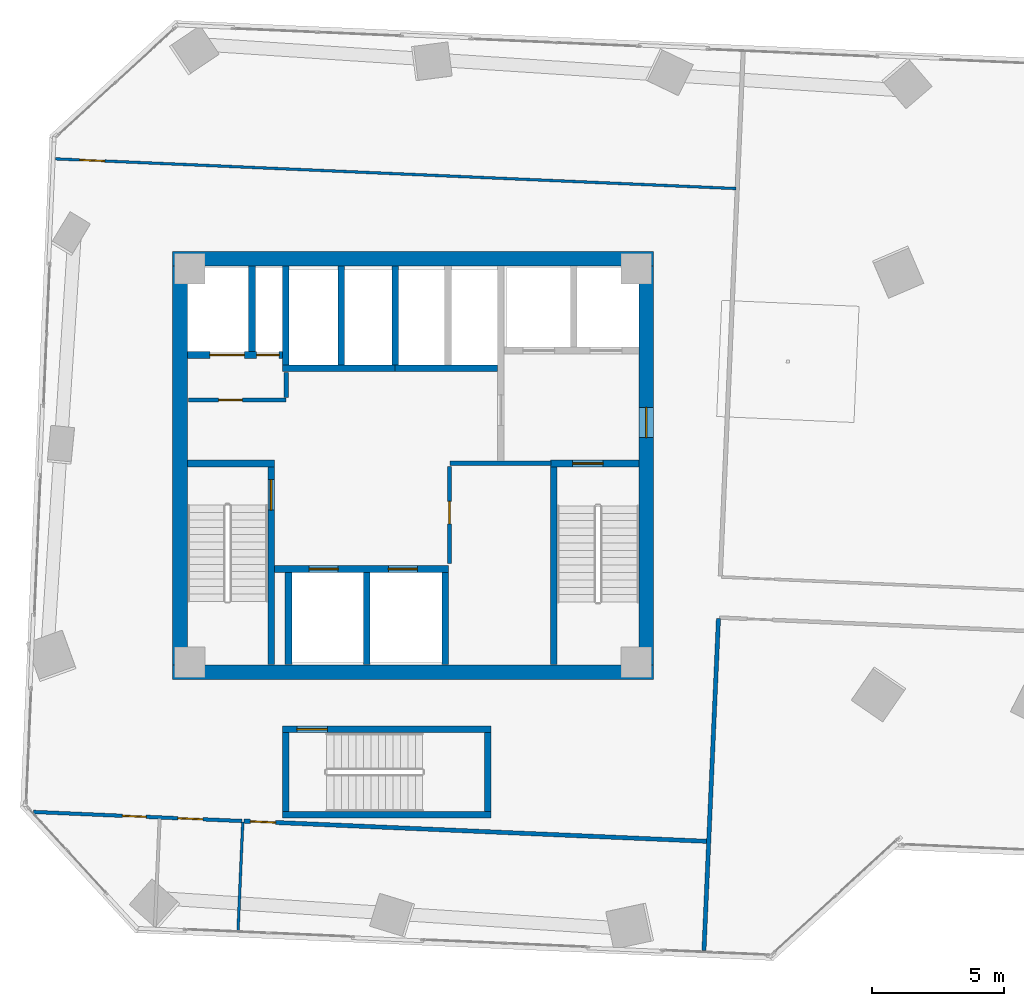
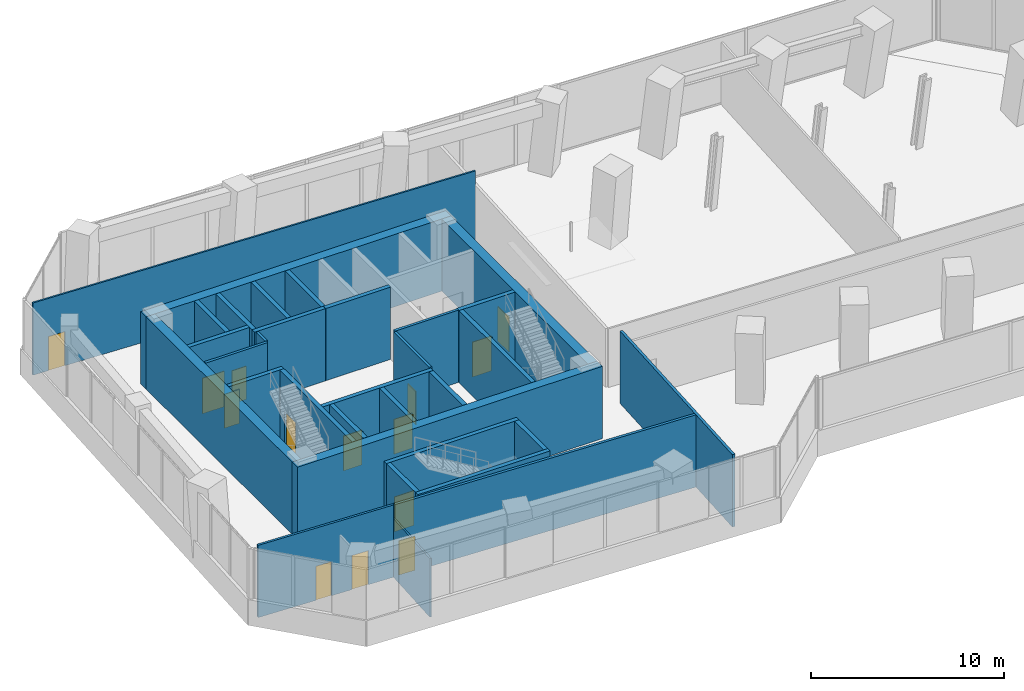
# One storey, part 22 of 27: 32 walls, 14 doors, 14 openings.
"""IFC4 building model written with IfcOpenShell, lengths in metres."""

from ifc_helpers import new_model, si_unit, direction, frame, frame_2d, origin, place, context, subcontext, project, spatial, rectangle, extrude, source, transform, mapped, material, layer, layer_set, type_object, element, fill, save


model = new_model("IFC4")

# Units and contexts
model_context = context("Model", 3, precision=1e-05, world=origin(), true_north=direction((0.0, 1.0)))
body_context = subcontext(model_context, "Body", "Model", "MODEL_VIEW")
ifc_project = project(units=[si_unit("LENGTHUNIT", "METRE"), si_unit("AREAUNIT", "SQUARE_METRE"), si_unit("VOLUMEUNIT", "CUBIC_METRE"), si_unit("PLANEANGLEUNIT", "RADIAN"), si_unit("MASSUNIT", "GRAM", prefix="KILO")], contexts=[model_context])

# Site, building, storey
site_placement = place(None, origin())
site = spatial("IfcSite", under=ifc_project, at=site_placement, CompositionType="ELEMENT")
building_placement = place(site_placement, origin())
building = spatial("IfcBuilding", under=site, at=building_placement, Name="Torre Montelarca", CompositionType="ELEMENT")
storey_placement = place(building_placement, frame((0.0, 0.0, 37.60009765625)))
storey = spatial("IfcBuildingStorey", under=building, at=storey_placement, Name="L08", CompositionType="ELEMENT", Elevation=37.60009765625)

# Wall, opening, door
ifc_material_1 = material(Name="Concrete C40/50", Category="concrete")
ifc_layer_1 = layer(ifc_material_1, 0.25, Name="Concrete C40/50", Category="concrete")
ifc_layer_set_1 = layer_set([ifc_layer_1], Name="Concrete C40/50")
wall_type_1 = type_object("IfcWallType", Name="CW-SHAFT-250", PredefinedType="SHEAR", material=ifc_layer_set_1)
wall_1_placement = place(storey_placement, frame((12.625, 24.4599609375, 0.0), z_axis=(0.0, 0.0, 1.0), x_axis=(0.0, 1.0, 0.0)))
wall_1 = element("IfcWall", 1, at=wall_1_placement, inside=storey, type_object=wall_type_1, Name="L08 Core Shear Wall SH-ST1-E", PredefinedType="SHEAR", context=body_context, shape_type="SweptSolid", body=[
    extrude(rectangle(XDim=7.489990234375, YDim=0.25, at=frame_2d((3.7451171875, 0.0))), origin(), (0.0, 0.0, 1.0), 4.559814453125),
])
opening_1_placement = place(wall_1_placement, frame((5.85009765625, 0.0, 0.0)))
opening_1 = element("IfcOpeningElement", 2, at=opening_1_placement, cuts=wall_1, Name="Opening FD-ST1", PredefinedType="OPENING", context=body_context, shape_type="SweptSolid", body=[
    extrude(rectangle(XDim=1.14990234375, YDim=2.199951171875, at=frame_2d((0.574951171875, 1.10009765625))), frame((0.0, 0.135009765625, 0.0), z_axis=(0.0, -1.0, 0.0), x_axis=(1.0, 0.0, 0.0)), (0.0, 0.0, 1.0), 0.27001953125),
])
ifc_material_2 = material(Name="Galvanized steel fire door", Category="steel")
door_type_1 = type_object("IfcDoorType", Name="DR-STAIR-115", OperationType="NOTDEFINED", PredefinedType="DOOR", material=ifc_material_2)
shared_shape_1 = source(origin(), body_context, "Body", "SweptSolid", [
    extrude(rectangle(XDim=1.14990234375, YDim=2.199951171875, at=frame_2d((0.574951171875, 1.10009765625))), frame((0.0, 0.02490234375, 0.0), z_axis=(0.0, -1.0, 0.0), x_axis=(1.0, 0.0, 0.0)), (0.0, 0.0, 1.0), 0.050048828125),
])
door_1_placement = place(opening_1_placement, origin())
door_1 = element("IfcDoor", 3, at=door_1_placement, inside=storey, type_object=door_type_1, Name="L08 Exit Stair ST1 Fire Door", OperationType="SINGLE_SWING_RIGHT", OverallHeight=2.199951171875, OverallWidth=1.14990234375, PredefinedType="DOOR", context=body_context, shape_type="MappedRepresentation", body=[
    mapped(shared_shape_1, transform((0.0, 0.0, 0.0), scale=1.0)),
])
fill(opening_1, door_1)

# Walls
wall_2_placement = place(storey_placement, frame((9.4599609375, 32.074951171875, 0.0), z_axis=(0.0, 0.0, 1.0), x_axis=(1.0, 0.0, 0.0)))
element("IfcWall", 4, at=wall_2_placement, inside=storey, type_object=wall_type_1, Name="L08 Core Shear Wall SH-ST1-N", PredefinedType="SHEAR", context=body_context, shape_type="SweptSolid", body=[
    extrude(rectangle(XDim=3.2900390625, YDim=0.25, at=frame_2d((1.64501953125, 0.0))), origin(), (0.0, 0.0, 1.0), 4.559814453125),
])
wall_3_placement = place(storey_placement, frame((23.31494140625, 24.4599609375, 0.0), z_axis=(0.0, 0.0, 1.0), x_axis=(0.0, 1.0, 0.0)))
element("IfcWall", 5, at=wall_3_placement, inside=storey, type_object=wall_type_1, Name="L08 Core Shear Wall SH-ST2-W", PredefinedType="SHEAR", context=body_context, shape_type="SweptSolid", body=[
    extrude(rectangle(XDim=7.489990234375, YDim=0.25, at=frame_2d((3.7451171875, 0.0))), origin(), (0.0, 0.0, 1.0), 4.559814453125),
])

# Wall, opening, door
wall_4_placement = place(storey_placement, frame((23.18994140625, 32.074951171875, 0.0), z_axis=(0.0, 0.0, 1.0), x_axis=(1.0, 0.0, 0.0)))
wall_4 = element("IfcWall", 6, at=wall_4_placement, inside=storey, type_object=wall_type_1, Name="L08 Core Shear Wall SH-ST2-N", PredefinedType="SHEAR", context=body_context, shape_type="SweptSolid", body=[
    extrude(rectangle(XDim=3.35009765625, YDim=0.25, at=frame_2d((1.675048828125, 0.0))), origin(), (0.0, 0.0, 1.0), 4.559814453125),
])
opening_2_placement = place(wall_4_placement, frame((0.85009765625, 0.0, 0.0)))
opening_2 = element("IfcOpeningElement", 7, at=opening_2_placement, cuts=wall_4, Name="Opening FD-ST1", PredefinedType="OPENING", context=body_context, shape_type="SweptSolid", body=[
    extrude(rectangle(XDim=1.14990234375, YDim=2.199951171875, at=frame_2d((0.574951171875, 1.10009765625))), frame((0.0, 0.135009765625, 0.0), z_axis=(0.0, -1.0, 0.0), x_axis=(1.0, 0.0, 0.0)), (0.0, 0.0, 1.0), 0.27001953125),
])
door_2_placement = place(opening_2_placement, origin())
door_2 = element("IfcDoor", 8, at=door_2_placement, inside=storey, type_object=door_type_1, Name="L08 Exit Stair ST2 Fire Door", OperationType="SINGLE_SWING_RIGHT", OverallHeight=2.199951171875, OverallWidth=1.14990234375, PredefinedType="DOOR", context=body_context, shape_type="MappedRepresentation", body=[
    mapped(shared_shape_1, transform((0.0, 0.0, 0.0), scale=1.0)),
])
fill(opening_2, door_2)

# Wall, openings, doors
wall_5_placement = place(storey_placement, frame((9.4599609375, 36.179931640625, 0.0), z_axis=(0.0, 0.0, 1.0), x_axis=(1.0, 0.0, 0.0)))
wall_5 = element("IfcWall", 9, at=wall_5_placement, inside=storey, type_object=wall_type_1, Name="L08 Core Shear Wall SH-SV1-S", PredefinedType="SHEAR", context=body_context, shape_type="SweptSolid", body=[
    extrude(rectangle(XDim=3.7900390625, YDim=0.25, at=frame_2d((1.89501953125, 0.0))), origin(), (0.0, 0.0, 1.0), 4.559814453125),
])
opening_3_placement = place(wall_5_placement, frame((2.6201171875, 0.0, 0.0)))
opening_3 = element("IfcOpeningElement", 10, at=opening_3_placement, cuts=wall_5, Name="Opening FD-085", PredefinedType="OPENING", context=body_context, shape_type="SweptSolid", body=[
    extrude(rectangle(XDim=0.85009765625, YDim=2.10009765625, at=frame_2d((0.425048828125, 1.050048828125))), frame((0.0, 0.135009765625, 0.0), z_axis=(0.0, -1.0, 0.0), x_axis=(1.0, 0.0, 0.0)), (0.0, 0.0, 1.0), 0.27001953125),
])
opening_4_placement = place(wall_5_placement, frame((0.85009765625, 0.0, 0.0)))
opening_4 = element("IfcOpeningElement", 11, at=opening_4_placement, cuts=wall_5, Name="Opening LD-130", PredefinedType="OPENING", context=body_context, shape_type="SweptSolid", body=[
    extrude(rectangle(XDim=1.300048828125, YDim=2.25, at=frame_2d((0.64990234375, 1.125))), frame((0.0, 0.135009765625, 0.0), z_axis=(0.0, -1.0, 0.0), x_axis=(1.0, 0.0, 0.0)), (0.0, 0.0, 1.0), 0.27001953125),
])
ifc_material_3 = material(Name="Steel riser access fire door", Category="steel")
door_type_2 = type_object("IfcDoorType", Name="DR-RISER-085", OperationType="NOTDEFINED", PredefinedType="DOOR", material=ifc_material_3)
shared_shape_2 = source(origin(), body_context, "Body", "SweptSolid", [
    extrude(rectangle(XDim=0.85009765625, YDim=2.10009765625, at=frame_2d((0.425048828125, 1.050048828125))), frame((0.0, 0.02490234375, 0.0), z_axis=(0.0, -1.0, 0.0), x_axis=(1.0, 0.0, 0.0)), (0.0, 0.0, 1.0), 0.050048828125),
])
door_3_placement = place(opening_3_placement, origin())
door_3 = element("IfcDoor", 12, at=door_3_placement, inside=storey, type_object=door_type_2, Name="L08 Electrical Riser Shaft Access Door", OperationType="SINGLE_SWING_RIGHT", OverallHeight=2.10009765625, OverallWidth=0.85009765625, PredefinedType="DOOR", context=body_context, shape_type="MappedRepresentation", body=[
    mapped(shared_shape_2, transform((0.0, 0.0, 0.0), scale=1.0)),
])
fill(opening_3, door_3)
ifc_material_4 = material(Name="Brushed stainless steel AISI 316", Category="steel")
door_type_3 = type_object("IfcDoorType", Name="DR-LIFT-130", OperationType="SLIDING_TO_LEFT", PredefinedType="DOOR", material=ifc_material_4)
shared_shape_3 = source(origin(), body_context, "Body", "SweptSolid", [
    extrude(rectangle(XDim=1.300048828125, YDim=2.25, at=frame_2d((0.64990234375, 1.125))), frame((0.0, 0.02490234375, 0.0), z_axis=(0.0, -1.0, 0.0), x_axis=(1.0, 0.0, 0.0)), (0.0, 0.0, 1.0), 0.050048828125),
])
door_4_placement = place(opening_4_placement, origin())
door_4 = element("IfcDoor", 13, at=door_4_placement, inside=storey, type_object=door_type_3, Name="L08 Lift Landing Sliding Door SV-1", OperationType="SLIDING_TO_LEFT", OverallHeight=2.25, OverallWidth=1.300048828125, PredefinedType="DOOR", context=body_context, shape_type="MappedRepresentation", body=[
    mapped(shared_shape_3, transform((0.0, 0.0, 0.0), scale=1.0)),
])
fill(opening_4, door_4)

# Wall
wall_6_placement = place(storey_placement, frame((11.89990234375, 36.31005859375, 0.0), z_axis=(0.0, 0.0, 1.0), x_axis=(0.0, 1.0, 0.0)))
element("IfcWall", 14, at=wall_6_placement, inside=storey, type_object=wall_type_1, Name="L08 Core Shear Wall SH-SV1-E", PredefinedType="SHEAR", context=body_context, shape_type="SweptSolid", body=[
    extrude(rectangle(XDim=3.22998046875, YDim=0.25, at=frame_2d((1.614990234375, 0.0))), origin(), (0.0, 0.0, 1.0), 4.559814453125),
])

# Wall, openings, doors
wall_7_placement = place(storey_placement, frame((12.6298828125, 28.080078125, 0.0), z_axis=(0.0, 0.0, 1.0), x_axis=(1.0, 0.0, 0.0)))
wall_7 = element("IfcWall", 15, at=wall_7_placement, inside=storey, type_object=wall_type_1, Name="L08 Core Shear Wall SH-PLL-N", PredefinedType="SHEAR", context=body_context, shape_type="SweptSolid", body=[
    extrude(rectangle(XDim=6.710205078125, YDim=0.25, at=frame_2d((3.35498046875, 0.0))), origin(), (0.0, 0.0, 1.0), 4.559814453125),
])
opening_5_placement = place(wall_7_placement, frame((1.429931640625, 0.0, 0.0)))
opening_5 = element("IfcOpeningElement", 16, at=opening_5_placement, cuts=wall_7, Name="Opening LD-110", PredefinedType="OPENING", context=body_context, shape_type="SweptSolid", body=[
    extrude(rectangle(XDim=1.10009765625, YDim=2.199951171875, at=frame_2d((0.550048828125, 1.10009765625))), frame((0.0, 0.135009765625, 0.0), z_axis=(0.0, -1.0, 0.0), x_axis=(1.0, 0.0, 0.0)), (0.0, 0.0, 1.0), 0.27001953125),
])
opening_6_placement = place(wall_7_placement, frame((4.429931640625, 0.0, 0.0)))
opening_6 = element("IfcOpeningElement", 17, at=opening_6_placement, cuts=wall_7, Name="Opening LD-110", PredefinedType="OPENING", context=body_context, shape_type="SweptSolid", body=[
    extrude(rectangle(XDim=1.10009765625, YDim=2.199951171875, at=frame_2d((0.550048828125, 1.10009765625))), frame((0.0, 0.135009765625, 0.0), z_axis=(0.0, -1.0, 0.0), x_axis=(1.0, 0.0, 0.0)), (0.0, 0.0, 1.0), 0.27001953125),
])
door_type_4 = type_object("IfcDoorType", Name="DR-LIFT-110", OperationType="SLIDING_TO_LEFT", PredefinedType="DOOR", material=ifc_material_4)
shared_shape_4 = source(origin(), body_context, "Body", "SweptSolid", [
    extrude(rectangle(XDim=1.10009765625, YDim=2.199951171875, at=frame_2d((0.550048828125, 1.10009765625))), frame((0.0, 0.02490234375, 0.0), z_axis=(0.0, -1.0, 0.0), x_axis=(1.0, 0.0, 0.0)), (0.0, 0.0, 1.0), 0.050048828125),
])
door_5_placement = place(opening_5_placement, origin())
door_5 = element("IfcDoor", 18, at=door_5_placement, inside=storey, type_object=door_type_4, Name="L08 Lift Landing Sliding Door PL-L1", OperationType="SLIDING_TO_LEFT", OverallHeight=2.199951171875, OverallWidth=1.10009765625, PredefinedType="DOOR", context=body_context, shape_type="MappedRepresentation", body=[
    mapped(shared_shape_4, transform((0.0, 0.0, 0.0), scale=1.0)),
])
fill(opening_5, door_5)
door_6_placement = place(opening_6_placement, origin())
door_6 = element("IfcDoor", 19, at=door_6_placement, inside=storey, type_object=door_type_4, Name="L08 Lift Landing Sliding Door PL-L2", OperationType="SLIDING_TO_RIGHT", OverallHeight=2.199951171875, OverallWidth=1.10009765625, PredefinedType="DOOR", context=body_context, shape_type="MappedRepresentation", body=[
    mapped(shared_shape_4, transform((0.0, 0.0, 0.0), scale=1.0)),
])
fill(opening_6, door_6)

# Walls
for number, where, z_axis, x_axis, name in (
    (20, (13.280029296875, 24.4599609375, 0.0), (0.0, 0.0, 1.0), (0.0, 1.0, 0.0), "L08 Core Shear Wall SH-PLL-W"),
    (21, (16.25, 24.4599609375, 0.0), (0.0, 0.0, 1.0), (0.0, 1.0, 0.0), "L08 Core Shear Wall SH-PLL-M"),
    (22, (19.219970703125, 24.4599609375, 0.0), (0.0, 0.0, 1.0), (0.0, 1.0, 0.0), "L08 Core Shear Wall SH-PLL-E"),
):
    element("IfcWall", number, at=place(storey_placement, frame(where, z_axis=z_axis, x_axis=x_axis)), inside=storey, type_object=wall_type_1, Name=name, PredefinedType="SHEAR", context=body_context, shape_type="SweptSolid", body=[
        extrude(rectangle(XDim=3.489990234375, YDim=0.25, at=frame_2d((1.7451171875, 0.0))), origin(), (0.0, 0.0, 1.0), 4.559814453125),
    ])
wall_8_placement = place(storey_placement, frame((13.06005859375, 35.679931640625, 0.0), z_axis=(0.0, 0.0, 1.0), x_axis=(1.0, 0.0, 0.0)))
element("IfcWall", 23, at=wall_8_placement, inside=storey, type_object=wall_type_1, Name="L08 Core Shear Wall SH-PLM-S", PredefinedType="SHEAR", context=body_context, shape_type="SweptSolid", body=[
    extrude(rectangle(XDim=4.25, YDim=0.25, at=frame_2d((2.125, 0.0))), origin(), (0.0, 0.0, 1.0), 4.559814453125),
])
for number, where, z_axis, x_axis, name in (
    (24, (13.179931640625, 35.81005859375, 0.0), (0.0, 0.0, 1.0), (0.0, 1.0, 0.0), "L08 Core Shear Wall SH-PLM-W"),
    (25, (15.280029296875, 35.81005859375, 0.0), (0.0, 0.0, 1.0), (0.0, 1.0, 0.0), "L08 Core Shear Wall SH-PLM-M"),
):
    element("IfcWall", number, at=place(storey_placement, frame(where, z_axis=z_axis, x_axis=x_axis)), inside=storey, type_object=wall_type_1, Name=name, PredefinedType="SHEAR", context=body_context, shape_type="SweptSolid", body=[
        extrude(rectangle(XDim=3.72998046875, YDim=0.25, at=frame_2d((1.864990234375, 0.0))), origin(), (0.0, 0.0, 1.0), 4.559814453125),
    ])
wall_9_placement = place(storey_placement, frame((17.320068359375, 35.679931640625, 0.0), z_axis=(0.0, 0.0, 1.0), x_axis=(1.0, 0.0, 0.0)))
element("IfcWall", 26, at=wall_9_placement, inside=storey, type_object=wall_type_1, Name="L08 Core Shear Wall SH-PLH-S", PredefinedType="SHEAR", context=body_context, shape_type="SweptSolid", body=[
    extrude(rectangle(XDim=3.869873046875, YDim=0.25, at=frame_2d((1.93505859375, 0.0))), origin(), (0.0, 0.0, 1.0), 4.559814453125),
])
wall_10_placement = place(storey_placement, frame((17.320068359375, 35.81005859375, 0.0), z_axis=(0.0, 0.0, 1.0), x_axis=(0.0, 1.0, 0.0)))
element("IfcWall", 27, at=wall_10_placement, inside=storey, type_object=wall_type_1, Name="L08 Core Shear Wall SH-PLH-W", PredefinedType="SHEAR", context=body_context, shape_type="SweptSolid", body=[
    extrude(rectangle(XDim=3.72998046875, YDim=0.25, at=frame_2d((1.864990234375, 0.0))), origin(), (0.0, 0.0, 1.0), 4.559814453125),
])
for number, where, z_axis, x_axis, name in (
    (28, (13.175048828125, 18.89990234375, 0.0), (0.0, 0.0, 1.0), (0.0, 1.0, 0.0), "L08 Core Shear Wall SH-ST3-W"),
    (29, (20.824951171875, 18.89990234375, 0.0), (0.0, 0.0, 1.0), (0.0, 1.0, 0.0), "L08 Core Shear Wall SH-ST3-E"),
):
    element("IfcWall", number, at=place(storey_placement, frame(where, z_axis=z_axis, x_axis=x_axis)), inside=storey, type_object=wall_type_1, Name=name, PredefinedType="SHEAR", context=body_context, shape_type="SweptSolid", body=[
        extrude(rectangle(XDim=2.989990234375, YDim=0.25, at=frame_2d((1.4951171875, 0.0))), origin(), (0.0, 0.0, 1.0), 4.559814453125),
    ])
wall_11_placement = place(storey_placement, frame((13.050048828125, 18.77490234375, 0.0), z_axis=(0.0, 0.0, 1.0), x_axis=(1.0, 0.0, 0.0)))
element("IfcWall", 30, at=wall_11_placement, inside=storey, type_object=wall_type_1, Name="L08 Core Shear Wall SH-ST3-S", PredefinedType="SHEAR", context=body_context, shape_type="SweptSolid", body=[
    extrude(rectangle(XDim=7.89990234375, YDim=0.25, at=frame_2d((3.949951171875, 0.0))), origin(), (0.0, 0.0, 1.0), 4.559814453125),
])

# Wall, opening, door
wall_12_placement = place(storey_placement, frame((13.050048828125, 22.014892578125, 0.0), z_axis=(0.0, 0.0, 1.0), x_axis=(1.0, 0.0, 0.0)))
wall_12 = element("IfcWall", 31, at=wall_12_placement, inside=storey, type_object=wall_type_1, Name="L08 Core Shear Wall SH-ST3-N", PredefinedType="SHEAR", context=body_context, shape_type="SweptSolid", body=[
    extrude(rectangle(XDim=7.89990234375, YDim=0.25, at=frame_2d((3.949951171875, 0.0))), origin(), (0.0, 0.0, 1.0), 4.559814453125),
])
opening_7_placement = place(wall_12_placement, frame((0.550048828125, 0.0, 0.0)))
opening_7 = element("IfcOpeningElement", 32, at=opening_7_placement, cuts=wall_12, Name="Opening FD-ST1", PredefinedType="OPENING", context=body_context, shape_type="SweptSolid", body=[
    extrude(rectangle(XDim=1.14990234375, YDim=2.199951171875, at=frame_2d((0.574951171875, 1.10009765625))), frame((0.0, 0.135009765625, 0.0), z_axis=(0.0, -1.0, 0.0), x_axis=(1.0, 0.0, 0.0)), (0.0, 0.0, 1.0), 0.27001953125),
])
door_7_placement = place(opening_7_placement, origin())
door_7 = element("IfcDoor", 33, at=door_7_placement, inside=storey, type_object=door_type_1, Name="L08 Exit Stair ST3 Fire Door", OperationType="SINGLE_SWING_LEFT", OverallHeight=2.199951171875, OverallWidth=1.14990234375, PredefinedType="DOOR", context=body_context, shape_type="MappedRepresentation", body=[
    mapped(shared_shape_1, transform((0.0, 0.0, 0.0), scale=1.0)),
])
fill(opening_7, door_7)

# Wall
ifc_material_5 = material(Name="Concrete C70/85", Category="concrete")
ifc_layer_2 = layer(ifc_material_5, 0.550048828125, Name="Concrete C70/85", Category="concrete")
ifc_layer_set_2 = layer_set([ifc_layer_2], Name="Concrete C70/85")
wall_type_2 = type_object("IfcWallType", Name="CW-SHEAR-550", PredefinedType="SHEAR", material=ifc_layer_set_2)
wall_13_placement = place(storey_placement, frame((9.175048828125, 24.449951171875, 0.0), z_axis=(0.0, 0.0, 1.0), x_axis=(0.0, 1.0, 0.0)))
element("IfcWall", 34, at=wall_13_placement, inside=storey, type_object=wall_type_2, Name="L08 Core Shear Wall CW-W", PredefinedType="SHEAR", context=body_context, shape_type="SweptSolid", body=[
    extrude(rectangle(XDim=15.10009765625, YDim=0.550048828125, at=frame_2d((7.550048828125, 0.0))), origin(), (0.0, 0.0, 1.0), 4.559814453125),
])

# Wall, opening, door
wall_14_placement = place(storey_placement, frame((26.824951171875, 24.449951171875, 0.0), z_axis=(0.0, 0.0, 1.0), x_axis=(0.0, 1.0, 0.0)))
wall_14 = element("IfcWall", 35, at=wall_14_placement, inside=storey, type_object=wall_type_2, Name="L08 Core Shear Wall CW-E", PredefinedType="SHEAR", context=body_context, shape_type="SweptSolid", body=[
    extrude(rectangle(XDim=15.10009765625, YDim=0.550048828125, at=frame_2d((7.550048828125, 0.0))), origin(), (0.0, 0.0, 1.0), 4.559814453125),
])
opening_8_placement = place(wall_14_placement, frame((8.60009765625, 0.0, 0.0)))
opening_8 = element("IfcOpeningElement", 36, at=opening_8_placement, cuts=wall_14, Name="Opening FD-LB1", PredefinedType="OPENING", context=body_context, shape_type="SweptSolid", body=[
    extrude(rectangle(XDim=1.14990234375, YDim=2.199951171875, at=frame_2d((0.574951171875, 1.10009765625))), frame((0.0, 0.28515625, 0.0), z_axis=(0.0, -1.0, 0.0), x_axis=(1.0, 0.0, 0.0)), (0.0, 0.0, 1.0), 0.570068359375),
])
ifc_material_6 = material(Name="Acoustic timber-veneered fire door", Category="wood")
door_type_5 = type_object("IfcDoorType", Name="DR-LOBBY-115", OperationType="NOTDEFINED", PredefinedType="DOOR", material=ifc_material_6)
shared_shape_5 = source(origin(), body_context, "Body", "SweptSolid", [
    extrude(rectangle(XDim=1.14990234375, YDim=2.199951171875, at=frame_2d((0.574951171875, 1.10009765625))), frame((0.0, 0.02490234375, 0.0), z_axis=(0.0, -1.0, 0.0), x_axis=(1.0, 0.0, 0.0)), (0.0, 0.0, 1.0), 0.050048828125),
])
door_8_placement = place(opening_8_placement, origin())
door_8 = element("IfcDoor", 37, at=door_8_placement, inside=storey, type_object=door_type_5, Name="L08 Firefighting Lift Lobby Corridor Fire Door", OperationType="SINGLE_SWING_RIGHT", OverallHeight=2.199951171875, OverallWidth=1.14990234375, PredefinedType="DOOR", context=body_context, shape_type="MappedRepresentation", body=[
    mapped(shared_shape_5, transform((0.0, 0.0, 0.0), scale=1.0)),
])
fill(opening_8, door_8)

# Walls
for number, where, z_axis, x_axis, name in (
    (38, (8.89990234375, 24.175048828125, 0.0), (0.0, 0.0, 1.0), (1.0, 0.0, 0.0), "L08 Core Shear Wall CW-S1"),
    (39, (8.89990234375, 39.824951171875, 0.0), (0.0, 0.0, 1.0), (1.0, 0.0, 0.0), "L08 Core Shear Wall CW-N1"),
):
    element("IfcWall", number, at=place(storey_placement, frame(where, z_axis=z_axis, x_axis=x_axis)), inside=storey, type_object=wall_type_2, Name=name, PredefinedType="SHEAR", context=body_context, shape_type="SweptSolid", body=[
        extrude(rectangle(XDim=18.2001953125, YDim=0.550048828125, at=frame_2d((9.10009765625, 0.0))), origin(), (0.0, 0.0, 1.0), 4.559814453125),
    ])

# Wall, opening, door
ifc_material_7 = material(Name="Gypsum plasterboard on steel stud", Category="steel")
ifc_layer_3 = layer(ifc_material_7, 0.159912109375, Name="Gypsum plasterboard on steel stud", Category="steel")
ifc_layer_set_3 = layer_set([ifc_layer_3], Name="Gypsum plasterboard on steel stud")
wall_type_3 = type_object("IfcWallType", Name="PW-FIRE-160", PredefinedType="PARTITIONING", material=ifc_layer_set_3)
wall_15_placement = place(storey_placement, frame((9.489990234375, 34.47998046875, 0.0), z_axis=(0.0, 0.0, 1.0), x_axis=(1.0, 0.0, 0.0)))
wall_15 = element("IfcWall", 40, at=wall_15_placement, inside=storey, type_object=wall_type_3, Name="L08 Interior Partition CW-L08-SVS", PredefinedType="PARTITIONING", context=body_context, shape_type="SweptSolid", body=[
    extrude(rectangle(XDim=3.699951171875, YDim=0.159912109375, at=frame_2d((1.85009765625, 0.0))), origin(), (0.0, 0.0, 1.0), 4.559814453125),
])
opening_9_placement = place(wall_15_placement, frame((1.14990234375, 0.0, 0.0)))
opening_9 = element("IfcOpeningElement", 41, at=opening_9_placement, cuts=wall_15, Name="Opening FD-090", PredefinedType="OPENING", context=body_context, shape_type="SweptSolid", body=[
    extrude(rectangle(XDim=0.89990234375, YDim=2.14990234375, at=frame_2d((0.449951171875, 1.074951171875))), frame((0.0, 0.08984375, 0.0), z_axis=(0.0, -1.0, 0.0), x_axis=(1.0, 0.0, 0.0)), (0.0, 0.0, 1.0), 0.179931640625),
])
ifc_material_8 = material(Name="Steel service fire door", Category="steel")
door_type_6 = type_object("IfcDoorType", Name="DR-FIRE-090", OperationType="NOTDEFINED", PredefinedType="DOOR", material=ifc_material_8)
shared_shape_6 = source(origin(), body_context, "Body", "SweptSolid", [
    extrude(rectangle(XDim=0.89990234375, YDim=2.14990234375, at=frame_2d((0.449951171875, 1.074951171875))), frame((0.0, 0.02490234375, 0.0), z_axis=(0.0, -1.0, 0.0), x_axis=(1.0, 0.0, 0.0)), (0.0, 0.0, 1.0), 0.050048828125),
])
door_9_placement = place(opening_9_placement, origin())
door_9 = element("IfcDoor", 42, at=door_9_placement, inside=storey, type_object=door_type_6, Name="L08 Interior Door 01", OperationType="SINGLE_SWING_RIGHT", OverallHeight=2.14990234375, OverallWidth=0.89990234375, PredefinedType="DOOR", context=body_context, shape_type="MappedRepresentation", body=[
    mapped(shared_shape_6, transform((0.0, 0.0, 0.0), scale=1.0)),
])
fill(opening_9, door_9)

# Walls
wall_16_placement = place(storey_placement, frame((13.199951171875, 34.570068359375, 0.0), z_axis=(0.0, 0.0, 1.0), x_axis=(0.0, 1.0, 0.0)))
element("IfcWall", 43, at=wall_16_placement, inside=storey, type_object=wall_type_3, Name="L08 Interior Partition CW-L08-SVE", PredefinedType="PARTITIONING", context=body_context, shape_type="SweptSolid", body=[
    extrude(rectangle(XDim=0.93994140625, YDim=0.159912109375, at=frame_2d((0.469970703125, 0.0))), origin(), (0.0, 0.0, 1.0), 4.559814453125),
])
wall_17_placement = place(storey_placement, frame((19.389892578125, 32.080078125, 0.0), z_axis=(0.0, 0.0, 1.0), x_axis=(1.0, 0.0, 0.0)))
element("IfcWall", 44, at=wall_17_placement, inside=storey, type_object=wall_type_3, Name="L08 Interior Partition CW-L08-SEN", PredefinedType="PARTITIONING", context=body_context, shape_type="SweptSolid", body=[
    extrude(rectangle(XDim=3.820068359375, YDim=0.159912109375, at=frame_2d((1.91015625, 0.0))), origin(), (0.0, 0.0, 1.0), 4.559814453125),
])

# Wall, opening, door
wall_18_placement = place(storey_placement, frame((19.3798828125, 28.2900390625, 0.0), z_axis=(0.0, 0.0, 1.0), x_axis=(0.0, 1.0, 0.0)))
wall_18 = element("IfcWall", 45, at=wall_18_placement, inside=storey, type_object=wall_type_3, Name="L08 Interior Partition CW-L08-SEW", PredefinedType="PARTITIONING", context=body_context, shape_type="SweptSolid", body=[
    extrude(rectangle(XDim=3.669921875, YDim=0.159912109375, at=frame_2d((1.8349609375, 0.0))), origin(), (0.0, 0.0, 1.0), 4.559814453125),
])
opening_10_placement = place(wall_18_placement, frame((1.5, 0.0, 0.0)))
opening_10 = element("IfcOpeningElement", 46, at=opening_10_placement, cuts=wall_18, Name="Opening FD-085", PredefinedType="OPENING", context=body_context, shape_type="SweptSolid", body=[
    extrude(rectangle(XDim=0.85009765625, YDim=2.10009765625, at=frame_2d((0.425048828125, 1.050048828125))), frame((0.0, 0.08984375, 0.0), z_axis=(0.0, -1.0, 0.0), x_axis=(1.0, 0.0, 0.0)), (0.0, 0.0, 1.0), 0.179931640625),
])
door_10_placement = place(opening_10_placement, origin())
door_10 = element("IfcDoor", 47, at=door_10_placement, inside=storey, type_object=door_type_2, Name="L08 Interior Door 02", OperationType="SINGLE_SWING_RIGHT", OverallHeight=2.10009765625, OverallWidth=0.85009765625, PredefinedType="DOOR", context=body_context, shape_type="MappedRepresentation", body=[
    mapped(shared_shape_2, transform((0.0, 0.0, 0.0), scale=1.0)),
])
fill(opening_10, door_10)

wall_19_placement = place(storey_placement, frame((11.593505859375, 18.539306640625, 0.0), z_axis=(0.0, 0.0, 1.0), x_axis=(0.999048303008, -0.043617522367, 0.0)))
wall_19 = element("IfcWall", 48, at=wall_19_placement, inside=storey, type_object=wall_type_3, Name="L08 Interior Partition W-L08-SOCCN", PredefinedType="PARTITIONING", context=body_context, shape_type="SweptSolid", body=[
    extrude(rectangle(XDim=17.56982421875, YDim=0.159912109375, at=frame_2d((8.784912109375, 0.0))), origin(), (0.0, 0.0, 1.0), 4.559814453125),
])
opening_11_placement = place(wall_19_placement, frame((0.25, 0.0, 0.0)))
opening_11 = element("IfcOpeningElement", 49, at=opening_11_placement, cuts=wall_19, Name="Opening FD-095", PredefinedType="OPENING", context=body_context, shape_type="SweptSolid", body=[
    extrude(rectangle(XDim=0.949951171875, YDim=2.14990234375, at=frame_2d((0.47509765625, 1.074951171875))), frame((0.0, 0.08984375, 0.0), z_axis=(0.0, -1.0, 0.0), x_axis=(1.0, 0.0, 0.0)), (0.0, 0.0, 1.0), 0.179931640625),
])
ifc_material_9 = material(Name="Timber fire-rated room door", Category="wood")
door_type_7 = type_object("IfcDoorType", Name="DR-FIRE-095", OperationType="NOTDEFINED", PredefinedType="DOOR", material=ifc_material_9)
shared_shape_7 = source(origin(), body_context, "Body", "SweptSolid", [
    extrude(rectangle(XDim=0.949951171875, YDim=2.14990234375, at=frame_2d((0.47509765625, 1.074951171875))), frame((0.0, 0.02490234375, 0.0), z_axis=(0.0, -1.0, 0.0), x_axis=(1.0, 0.0, 0.0)), (0.0, 0.0, 1.0), 0.050048828125),
])
door_11_placement = place(opening_11_placement, origin())
door_11 = element("IfcDoor", 50, at=door_11_placement, inside=storey, type_object=door_type_7, Name="L08 Interior Door 05", OperationType="SINGLE_SWING_RIGHT", OverallHeight=2.14990234375, OverallWidth=0.949951171875, PredefinedType="DOOR", context=body_context, shape_type="MappedRepresentation", body=[
    mapped(shared_shape_7, transform((0.0, 0.0, 0.0), scale=1.0)),
])
fill(opening_11, door_11)

# Walls
wall_20_placement = place(storey_placement, frame((29.006103515625, 13.635009765625, 0.0), z_axis=(0.0, 0.0, 1.0), x_axis=(0.043626715414, 0.999047901605, 0.0)))
element("IfcWall", 51, at=wall_20_placement, inside=storey, type_object=wall_type_3, Name="L08 Interior Partition W-L08-ECS", PredefinedType="PARTITIONING", context=body_context, shape_type="SweptSolid", body=[
    extrude(rectangle(XDim=12.580078125, YDim=0.159912109375, at=frame_2d((6.2900390625, 0.0))), origin(), (0.0, 0.0, 1.0), 4.559814453125),
])
ifc_material_10 = material(Name="Acoustic laminated glass partition", Category="glass")
ifc_layer_4 = layer(ifc_material_10, 0.10009765625, Name="Acoustic laminated glass partition", Category="glass")
ifc_layer_set_4 = layer_set([ifc_layer_4], Name="Acoustic laminated glass partition")
wall_type_4 = type_object("IfcWallType", Name="PW-GLAZ-100", PredefinedType="PARTITIONING", material=ifc_layer_set_4)
wall_21_placement = place(storey_placement, frame((11.372802734375, 14.405029296875, 0.0), z_axis=(0.0, 0.0, 1.0), x_axis=(0.04364652983, 0.999047036147, 0.0)))
element("IfcWall", 52, at=wall_21_placement, inside=storey, type_object=wall_type_4, Name="L08 Interior Partition W-L08-SWCDIV", PredefinedType="PARTITIONING", context=body_context, shape_type="SweptSolid", body=[
    extrude(rectangle(XDim=4.10009765625, YDim=0.10009765625, at=frame_2d((2.050048828125, 0.0))), origin(), (0.0, 0.0, 1.0), 3.69482421875),
])

# Wall, opening, door
wall_22_placement = place(storey_placement, frame((4.469970703125, 43.60400390625, 0.0), z_axis=(0.0, 0.0, 1.0), x_axis=(0.999047795436, -0.04362914662, 0.0)))
wall_22 = element("IfcWall", 53, at=wall_22_placement, inside=storey, type_object=wall_type_4, Name="L08 Interior Partition W-L08-NBOT", PredefinedType="PARTITIONING", context=body_context, shape_type="SweptSolid", body=[
    extrude(rectangle(XDim=25.780029296875, YDim=0.10009765625, at=frame_2d((12.89013671875, 0.0))), origin(), (0.0, 0.0, 1.0), 4.559814453125),
])
opening_12_placement = place(wall_22_placement, frame((0.909912109375, 0.0, 0.0)))
opening_12 = element("IfcOpeningElement", 54, at=opening_12_placement, cuts=wall_22, Name="Opening ID-095", PredefinedType="OPENING", context=body_context, shape_type="SweptSolid", body=[
    extrude(rectangle(XDim=0.949951171875, YDim=2.14990234375, at=frame_2d((0.47509765625, 1.074951171875))), frame((0.0, 0.06005859375, 0.0), z_axis=(0.0, -1.0, 0.0), x_axis=(1.0, 0.0, 0.0)), (0.0, 0.0, 1.0), 0.1201171875),
])
ifc_material_11 = material(Name="Hardwood acoustic timber veneer", Category="wood")
door_type_8 = type_object("IfcDoorType", Name="DR-INT-095", OperationType="NOTDEFINED", PredefinedType="DOOR", material=ifc_material_11)
shared_shape_8 = source(origin(), body_context, "Body", "SweptSolid", [
    extrude(rectangle(XDim=0.949951171875, YDim=2.14990234375, at=frame_2d((0.47509765625, 1.074951171875))), frame((0.0, 0.02490234375, 0.0), z_axis=(0.0, -1.0, 0.0), x_axis=(1.0, 0.0, 0.0)), (0.0, 0.0, 1.0), 0.050048828125),
])
door_12_placement = place(opening_12_placement, origin())
door_12 = element("IfcDoor", 55, at=door_12_placement, inside=storey, type_object=door_type_8, Name="L08 Interior Door 06", OperationType="SINGLE_SWING_LEFT", OverallHeight=2.14990234375, OverallWidth=0.949951171875, PredefinedType="DOOR", context=body_context, shape_type="MappedRepresentation", body=[
    mapped(shared_shape_8, transform((0.0, 0.0, 0.0), scale=1.0)),
])
fill(opening_12, door_12)

# Wall, openings, doors
ifc_layer_5 = layer(ifc_material_7, 0.135009765625, Name="Gypsum plasterboard on steel stud", Category="steel")
ifc_layer_set_5 = layer_set([ifc_layer_5], Name="Gypsum plasterboard on steel stud")
wall_type_5 = type_object("IfcWallType", Name="PW-PART-135", PredefinedType="PARTITIONING", material=ifc_layer_set_5)
wall_23_placement = place(storey_placement, frame((3.62890625, 18.88720703125, 0.0), z_axis=(0.0, 0.0, 1.0), x_axis=(0.999046913697, -0.043649332566, 0.0)))
wall_23 = element("IfcWall", 56, at=wall_23_placement, inside=storey, type_object=wall_type_5, Name="L08 Interior Partition W-L08-WCN", PredefinedType="PARTITIONING", context=body_context, shape_type="SweptSolid", body=[
    extrude(rectangle(XDim=7.89208984375, YDim=0.135009765625, at=frame_2d((3.946044921875, 0.0))), origin(), (0.0, 0.0, 1.0), 4.559814453125),
])
opening_13_placement = place(wall_23_placement, frame((3.3701171875, 0.0, 0.0)))
opening_13 = element("IfcOpeningElement", 57, at=opening_13_placement, cuts=wall_23, Name="Opening ID-090", PredefinedType="OPENING", context=body_context, shape_type="SweptSolid", body=[
    extrude(rectangle(XDim=0.89990234375, YDim=2.14990234375, at=frame_2d((0.449951171875, 1.074951171875))), frame((0.0, 0.07763671875, 0.0), z_axis=(0.0, -1.0, 0.0), x_axis=(1.0, 0.0, 0.0)), (0.0, 0.0, 1.0), 0.155029296875),
])
opening_14_placement = place(wall_23_placement, frame((5.469970703125, 0.0, 0.0)))
opening_14 = element("IfcOpeningElement", 58, at=opening_14_placement, cuts=wall_23, Name="Opening ID-095", PredefinedType="OPENING", context=body_context, shape_type="SweptSolid", body=[
    extrude(rectangle(XDim=0.949951171875, YDim=2.14990234375, at=frame_2d((0.47509765625, 1.074951171875))), frame((0.0, 0.07763671875, 0.0), z_axis=(0.0, -1.0, 0.0), x_axis=(1.0, 0.0, 0.0)), (0.0, 0.0, 1.0), 0.155029296875),
])
door_type_9 = type_object("IfcDoorType", Name="DR-INT-090", OperationType="NOTDEFINED", PredefinedType="DOOR", material=ifc_material_11)
shared_shape_9 = source(origin(), body_context, "Body", "SweptSolid", [
    extrude(rectangle(XDim=0.89990234375, YDim=2.14990234375, at=frame_2d((0.449951171875, 1.074951171875))), frame((0.0, 0.02490234375, 0.0), z_axis=(0.0, -1.0, 0.0), x_axis=(1.0, 0.0, 0.0)), (0.0, 0.0, 1.0), 0.050048828125),
])
door_13_placement = place(opening_13_placement, origin())
door_13 = element("IfcDoor", 59, at=door_13_placement, inside=storey, type_object=door_type_9, Name="L08 Interior Door 03", OperationType="SINGLE_SWING_LEFT", OverallHeight=2.14990234375, OverallWidth=0.89990234375, PredefinedType="DOOR", context=body_context, shape_type="MappedRepresentation", body=[
    mapped(shared_shape_9, transform((0.0, 0.0, 0.0), scale=1.0)),
])
fill(opening_13, door_13)
door_14_placement = place(opening_14_placement, origin())
door_14 = element("IfcDoor", 60, at=door_14_placement, inside=storey, type_object=door_type_8, Name="L08 Interior Door 04", OperationType="SINGLE_SWING_RIGHT", OverallHeight=2.14990234375, OverallWidth=0.949951171875, PredefinedType="DOOR", context=body_context, shape_type="MappedRepresentation", body=[
    mapped(shared_shape_8, transform((0.0, 0.0, 0.0), scale=1.0)),
])
fill(opening_14, door_14)

save(model, "model.ifc")
